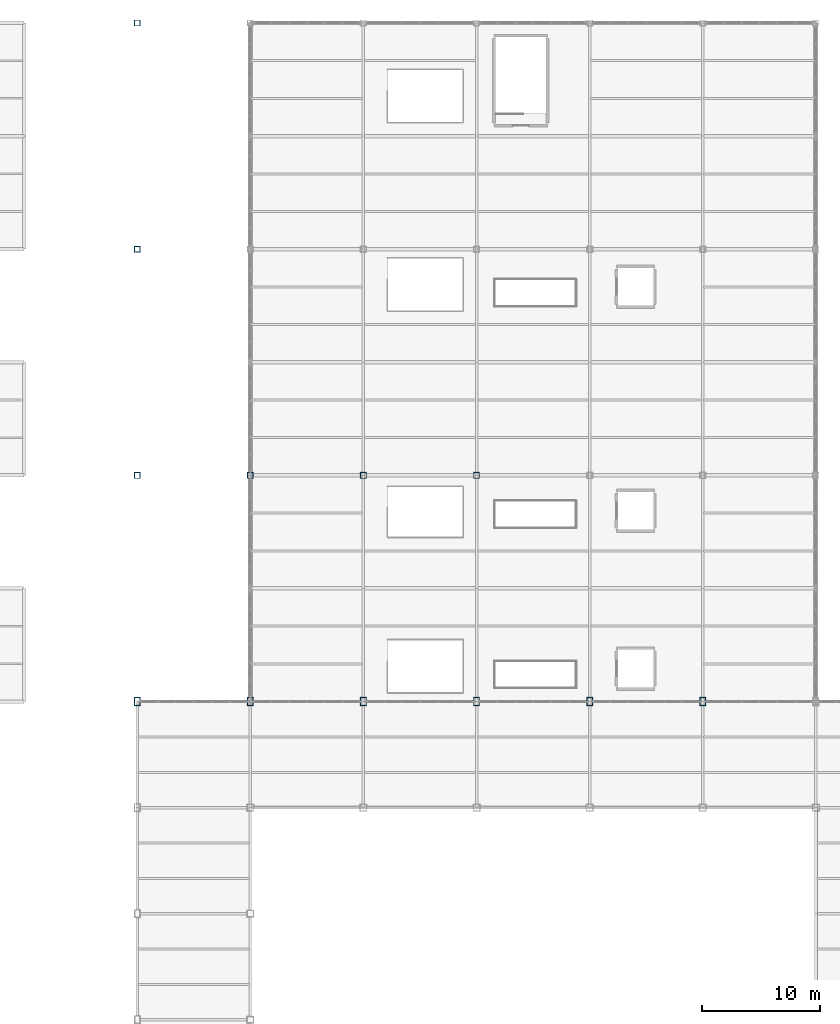
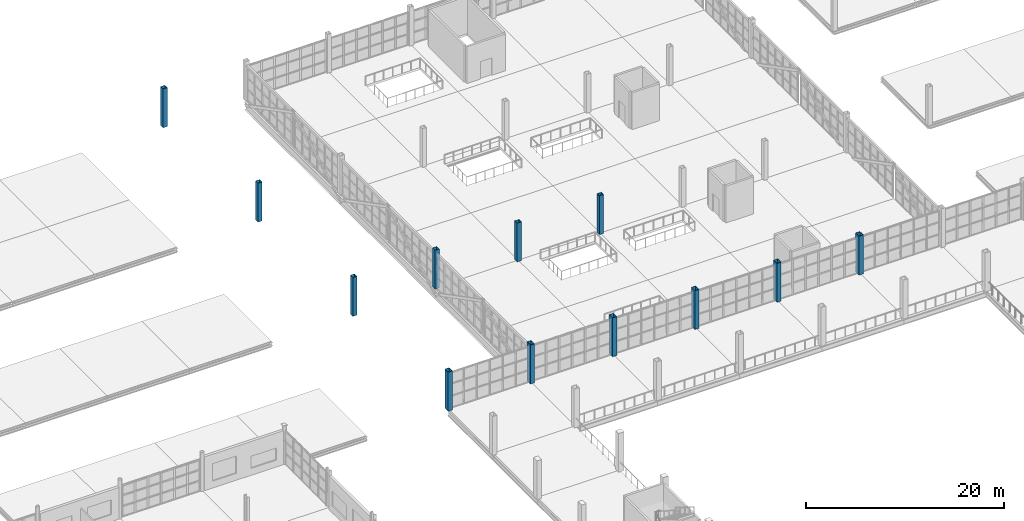
# One storey, part 9 of 120: 12 columns.
"""IFC4 building model written with IfcOpenShell, lengths in metres."""

from ifc_helpers import new_model, si_unit, direction, frame, origin, origin_2d, place, context, subcontext, project, spatial, hollow_rectangle, extrude, material, material_profile, profile_set, type_object, element, save


model = new_model("IFC4")

# Units and contexts
model_context = context("Model", 3, precision=1e-05, world=origin(), true_north=direction((0.0, 1.0)))
body_context = subcontext(model_context, "Body", "Model", "MODEL_VIEW")
ifc_project = project(units=[si_unit("LENGTHUNIT", "METRE"), si_unit("AREAUNIT", "SQUARE_METRE"), si_unit("VOLUMEUNIT", "CUBIC_METRE"), si_unit("PLANEANGLEUNIT", "RADIAN"), si_unit("MASSUNIT", "GRAM", prefix="KILO")], contexts=[model_context])

# Site, building, storey
site_placement = place(None, origin())
site = spatial("IfcSite", under=ifc_project, at=site_placement, CompositionType="ELEMENT")
building_placement = place(site_placement, origin())
building = spatial("IfcBuilding", under=site, at=building_placement, Name="Zarnetskaya Central Station", CompositionType="ELEMENT")
storey_placement = place(building_placement, frame((0.0, 0.0, 5.39990234375)))
storey = spatial("IfcBuildingStorey", under=building, at=storey_placement, Name="L01", CompositionType="ELEMENT", Elevation=5.39990234375)

# Columns
ifc_material = material(Name="Steel S355", Category="steel")
ifc_material_profile_1 = material_profile(ifc_material, hollow_rectangle(XDim=0.5, YDim=0.5, WallThickness=0.02490234375, at=origin_2d()), Name="BOX 500x500x25")
ifc_profile_set_1 = profile_set([ifc_material_profile_1], Name="Steel S355")
column_type_1 = type_object("IfcColumnType", Name="COL-V1-SHED", PredefinedType="COLUMN", material=ifc_profile_set_1)
for number, where, z_axis, x_axis, name in (
    (1, (57.60009765625, 86.39990234375, 0.0), (0.0, 0.0, 1.0), (1.0, 0.0, 0.0), "Column G11 L01"),
    (2, (57.60009765625, 105.60009765625, 0.0), (0.0, 0.0, 1.0), (1.0, 0.0, 0.0), "Column G13 L01"),
    (3, (57.60009765625, 124.800048828125, 0.0), (0.0, 0.0, 1.0), (1.0, 0.0, 0.0), "Column G15 L01"),
    (4, (67.199951171875, 86.39990234375, 0.0), (0.0, 0.0, 1.0), (1.0, 0.0, 0.0), "Column H11 L01"),
    (5, (76.800048828125, 86.39990234375, 0.0), (0.0, 0.0, 1.0), (1.0, 0.0, 0.0), "Column J11 L01"),
    (6, (86.39990234375, 86.39990234375, 0.0), (0.0, 0.0, 1.0), (1.0, 0.0, 0.0), "Column K11 L01"),
):
    element("IfcColumn", number, at=place(storey_placement, frame(where, z_axis=z_axis, x_axis=x_axis)), inside=storey, type_object=column_type_1, Name=name, PredefinedType="COLUMN", context=body_context, shape_type="SweptSolid", body=[
        extrude(hollow_rectangle(XDim=0.5, YDim=0.5, WallThickness=0.02490234375, at=origin_2d()), origin(), (0.0, 0.0, 1.0), 4.800048828125),
    ])
ifc_material_profile_2 = material_profile(ifc_material, hollow_rectangle(XDim=0.5, YDim=0.699951171875, WallThickness=0.031982421875, at=origin_2d()), Name="BOX 700x500x32")
ifc_profile_set_2 = profile_set([ifc_material_profile_2], Name="Steel S355")
column_type_2 = type_object("IfcColumnType", Name="COL-V2-HALL", PredefinedType="COLUMN", material=ifc_profile_set_2)
for number, where, z_axis, x_axis, name in (
    (7, (57.60009765625, 67.199951171875, 0.0), (0.0, 0.0, 1.0), (1.0, 0.0, 0.0), "Column G9 L01"),
    (8, (67.199951171875, 67.199951171875, 0.0), (0.0, 0.0, 1.0), (1.0, 0.0, 0.0), "Column H9 L01"),
    (9, (76.800048828125, 67.199951171875, 0.0), (0.0, 0.0, 1.0), (1.0, 0.0, 0.0), "Column J9 L01"),
    (10, (86.39990234375, 67.199951171875, 0.0), (0.0, 0.0, 1.0), (1.0, 0.0, 0.0), "Column K9 L01"),
    (11, (96.0, 67.199951171875, 0.0), (0.0, 0.0, 1.0), (1.0, 0.0, 0.0), "Column L9 L01"),
    (12, (105.60009765625, 67.199951171875, 0.0), (0.0, 0.0, 1.0), (1.0, 0.0, 0.0), "Column M9 L01"),
):
    element("IfcColumn", number, at=place(storey_placement, frame(where, z_axis=z_axis, x_axis=x_axis)), inside=storey, type_object=column_type_2, Name=name, PredefinedType="COLUMN", context=body_context, shape_type="SweptSolid", body=[
        extrude(hollow_rectangle(XDim=0.5, YDim=0.699951171875, WallThickness=0.031982421875, at=origin_2d()), origin(), (0.0, 0.0, 1.0), 4.800048828125),
    ])

save(model, "model.ifc")
